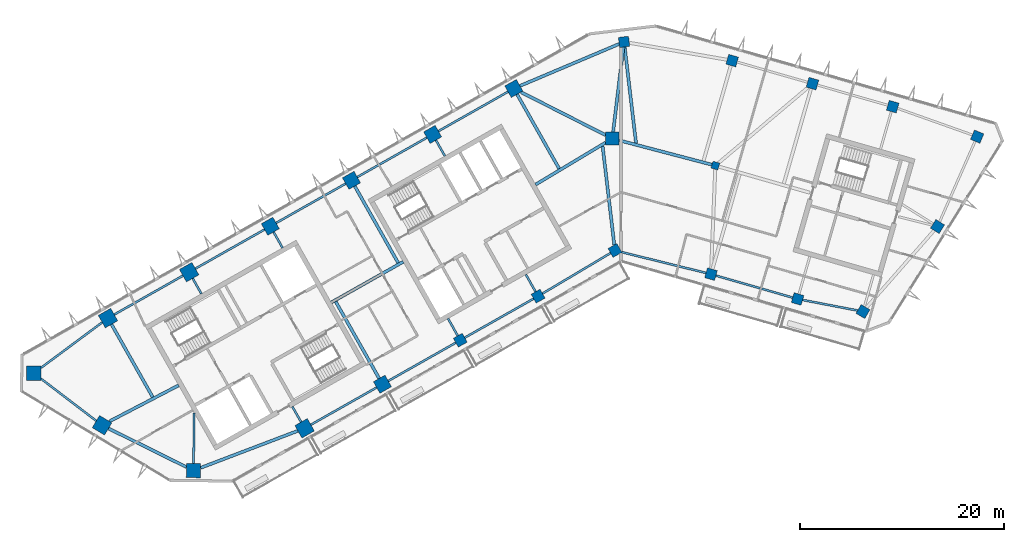
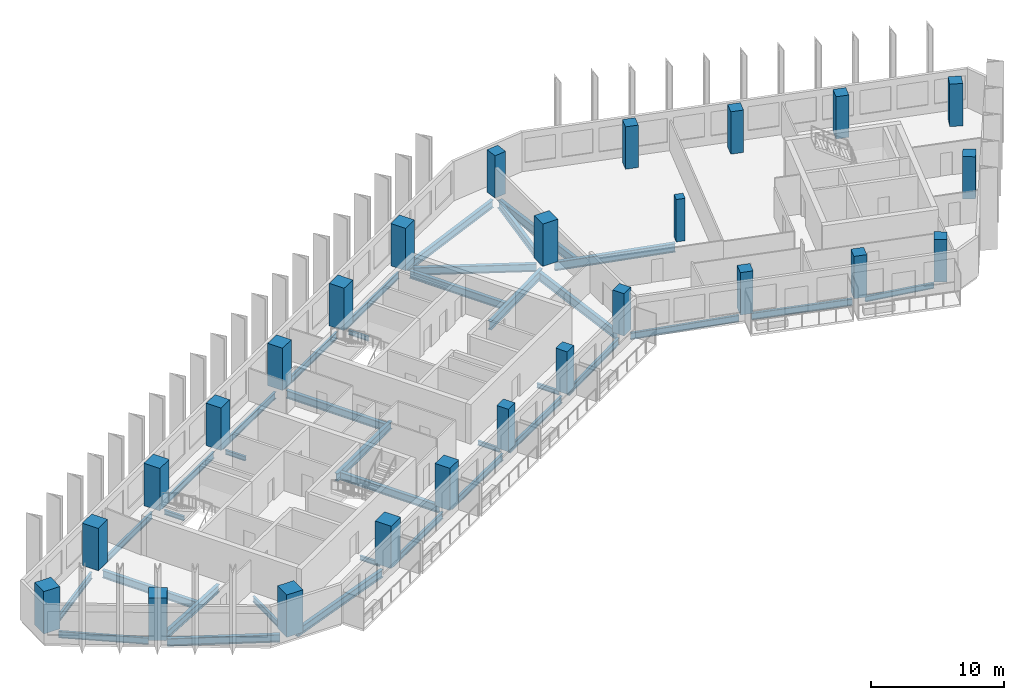
# One storey, part 1 of 12: 36 beams, 25 columns.
"""IFC4 building model written with IfcOpenShell, lengths in metres."""

from ifc_helpers import new_model, si_unit, direction, frame, origin, origin_2d, place, context, subcontext, project, spatial, rectangle, i_section, extrude, material, material_profile, profile_set, type_object, element, save


model = new_model("IFC4")

# Units and contexts
model_context = context("Model", 3, precision=1e-05, world=origin(), true_north=direction((0.0, 1.0)))
body_context = subcontext(model_context, "Body", "Model", "MODEL_VIEW")
ifc_project = project(units=[si_unit("LENGTHUNIT", "METRE"), si_unit("AREAUNIT", "SQUARE_METRE"), si_unit("VOLUMEUNIT", "CUBIC_METRE"), si_unit("PLANEANGLEUNIT", "RADIAN"), si_unit("MASSUNIT", "GRAM", prefix="KILO")], contexts=[model_context])

# Site, building, storey
site_placement = place(None, origin())
site = spatial("IfcSite", under=ifc_project, at=site_placement, CompositionType="ELEMENT")
building_placement = place(site_placement, origin())
building = spatial("IfcBuilding", under=site, at=building_placement, Name="Binnacle Exchange Tower", CompositionType="ELEMENT")
storey_placement = place(building_placement, frame((0.0, 0.0, 215.300048828125)))
storey = spatial("IfcBuildingStorey", under=building, at=storey_placement, Name="L47", CompositionType="ELEMENT", Elevation=215.300048828125)

# Columns
ifc_material_1 = material(Name="Concrete C60/75", Category="concrete")
ifc_material_profile_1 = material_profile(ifc_material_1, rectangle(XDim=0.699951171875, YDim=0.699951171875, at=origin_2d()), Name="Column 700x700 C60/75")
ifc_profile_set_1 = profile_set([ifc_material_profile_1], Name="Concrete C60/75")
column_type_1 = type_object("IfcColumnType", Name="Column 700x700 C60/75", PredefinedType="COLUMN", material=ifc_profile_set_1)
column_placement = place(storey_placement, frame((9.240966796875, 57.35009765625, 0.0), z_axis=(0.0, 0.0, 1.0), x_axis=(0.961261695938, -0.275637355817, 0.0)))
element("IfcColumn", 1, at=column_placement, inside=storey, type_object=column_type_1, Name="S:COL:C19:L47", PredefinedType="COLUMN", context=body_context, shape_type="SweptSolid", body=[
    extrude(rectangle(XDim=0.699951171875, YDim=0.699951171875, at=origin_2d()), origin(), (0.0, 0.0, 1.0), 3.89990234375),
])
ifc_material_profile_2 = material_profile(ifc_material_1, rectangle(XDim=1.0, YDim=1.0, at=origin_2d()), Name="Mega column 1000x1000 C60/75")
ifc_profile_set_2 = profile_set([ifc_material_profile_2], Name="Concrete C60/75")
column_type_2 = type_object("IfcColumnType", Name="Mega column 1000x1000 C60/75", PredefinedType="COLUMN", material=ifc_profile_set_2)
for number, where, z_axis, x_axis, name in (
    (2, (26.602783203125, 63.12353515625, 0.0), (0.0, 0.0, 1.0), (-0.961261695938, 0.275637355817, 0.0), "S:COL:MC52:L47"),
    (3, (18.746337890625, 65.376220703125, 0.0), (0.0, 0.0, 1.0), (-0.961261695938, 0.275637355817, 0.0), "S:COL:MC50:L47"),
    (4, (10.889892578125, 67.62890625, 0.0), (0.0, 0.0, 1.0), (-0.961261695938, 0.275637355817, 0.0), "S:COL:MC48:L47"),
    (5, (0.300048828125, 69.464111328125, 0.0), (0.0, 0.0, 1.0), (-0.993068456955, -0.117537397458, 0.0), "S:COL:MC47:L47"),
    (6, (-15.736328125, 40.257080078125, 0.0), (0.0, 0.0, 1.0), (0.87035569594, 0.492423560103, 0.0), "S:COL:MC24:L47"),
    (7, (-8.116943359375, 44.568115234375, 0.0), (0.0, 0.0, 1.0), (0.87035569594, 0.492423560103, 0.0), "S:COL:MC35:L47"),
    (8, (-0.5908203125, 49.04443359375, 0.0), (0.0, 0.0, 1.0), (0.87035569594, 0.492423560103, 0.0), "S:COL:MC46:L47"),
    (9, (8.8095703125, 46.722412109375, 0.0), (0.0, 0.0, 1.0), (0.961261695938, -0.275637355817, 0.0), "S:COL:MC49:L47"),
    (10, (17.2880859375, 44.291015625, 0.0), (0.0, 0.0, 1.0), (0.961261695938, -0.275637355817, 0.0), "S:COL:MC51:L47"),
    (11, (23.690185546875, 43.062744140625, 0.0), (0.0, 0.0, 1.0), (-0.86532642813, 0.501208711795, 0.0), "S:COL:MC53:L47"),
    (12, (30.989501953125, 51.38623046875, 0.0), (0.0, 0.0, 1.0), (0.529919264233, 0.848048096156, 0.0), "S:COL:MC55:L47"),
    (13, (34.870361328125, 60.18701171875, 0.0), (0.0, 0.0, 1.0), (-0.922814001807, 0.385245789164, 0.0), "S:COL:MC54:L47"),
):
    element("IfcColumn", number, at=place(storey_placement, frame(where, z_axis=z_axis, x_axis=x_axis)), inside=storey, type_object=column_type_2, Name=name, PredefinedType="COLUMN", context=body_context, shape_type="SweptSolid", body=[
        extrude(rectangle(XDim=1.0, YDim=1.0, at=origin_2d()), origin(), (0.0, 0.0, 1.0), 3.89990234375),
    ])
ifc_material_profile_3 = material_profile(ifc_material_1, rectangle(XDim=1.300048828125, YDim=1.300048828125, at=origin_2d()), Name="Mega column 1300x1300 C60/75")
ifc_profile_set_3 = profile_set([ifc_material_profile_3], Name="Concrete C60/75")
column_type_3 = type_object("IfcColumnType", Name="Mega column 1300x1300 C60/75", PredefinedType="COLUMN", material=ifc_profile_set_3)
for number, where, z_axis, x_axis, name in (
    (14, (-10.4951171875, 64.901611328125, 0.0), (0.0, 0.0, 1.0), (-0.87035569594, -0.492423560103, 0.0), "S:COL:MC38:L47"),
    (15, (-18.44140625, 60.406005859375, 0.0), (0.0, 0.0, 1.0), (-0.87035569594, -0.492423560103, 0.0), "S:COL:MC29:L47"),
    (16, (-26.3876953125, 55.91015625, 0.0), (0.0, 0.0, 1.0), (-0.87035569594, -0.492423560103, 0.0), "S:COL:MC21:L47"),
    (17, (-34.333740234375, 51.414306640625, 0.0), (0.0, 0.0, 1.0), (-0.87035569594, -0.492423560103, 0.0), "S:COL:MC13:L47"),
    (18, (-23.35595703125, 35.9462890625, 0.0), (0.0, 0.0, 1.0), (0.87035569594, 0.492423560103, 0.0), "S:COL:MC16:L47"),
    (19, (-0.85009765625, 60.0, 0.0), (0.0, 0.0, 1.0), (0.0, 1.0, 0.0), "S:COL:MC45:L47"),
):
    element("IfcColumn", number, at=place(storey_placement, frame(where, z_axis=z_axis, x_axis=x_axis)), inside=storey, type_object=column_type_3, Name=name, PredefinedType="COLUMN", context=body_context, shape_type="SweptSolid", body=[
        extrude(rectangle(XDim=1.300048828125, YDim=1.300048828125, at=origin_2d()), origin(), (0.0, 0.0, 1.0), 3.89990234375),
    ])
ifc_material_profile_4 = material_profile(ifc_material_1, rectangle(XDim=1.39990234375, YDim=1.39990234375, at=origin_2d()), Name="Mega column 1400x1400 C60/75")
ifc_profile_set_4 = profile_set([ifc_material_profile_4], Name="Concrete C60/75")
column_type_4 = type_object("IfcColumnType", Name="Mega column 1400x1400 C60/75", PredefinedType="COLUMN", material=ifc_profile_set_4)
for number, where, z_axis, x_axis, name in (
    (20, (-42.280029296875, 46.918701171875, 0.0), (0.0, 0.0, 1.0), (-0.87035569594, -0.492423560103, 0.0), "S:COL:MC08:L47"),
    (21, (-50.226318359375, 42.4228515625, 0.0), (0.0, 0.0, 1.0), (-0.87035569594, -0.492423560103, 0.0), "S:COL:MC04:L47"),
    (22, (-57.492919921875, 37.02734375, 0.0), (0.0, 0.0, 1.0), (-0.013089595571, -0.999914327574, 0.0), "S:COL:MC02:L47"),
    (23, (-50.81201171875, 31.930908203125, 0.0), (0.0, 0.0, 1.0), (0.857167300702, -0.51503807491, 0.0), "S:COL:MC01:L47"),
    (24, (-41.857666015625, 27.494873046875, 0.0), (0.0, 0.0, 1.0), (0.999914327574, -0.013089595571, 0.0), "S:COL:MC03:L47"),
    (25, (-30.9755859375, 31.63525390625, 0.0), (0.0, 0.0, 1.0), (0.87035569594, 0.492423560103, 0.0), "S:COL:MC07:L47"),
):
    element("IfcColumn", number, at=place(storey_placement, frame(where, z_axis=z_axis, x_axis=x_axis)), inside=storey, type_object=column_type_4, Name=name, PredefinedType="COLUMN", context=body_context, shape_type="SweptSolid", body=[
        extrude(rectangle(XDim=1.39990234375, YDim=1.39990234375, at=origin_2d()), origin(), (0.0, 0.0, 1.0), 3.89990234375),
    ])

# Beams
ifc_material_2 = material(Name="Steel S355 (SHN355)", Category="steel")
ifc_material_profile_5 = material_profile(ifc_material_2, i_section(OverallWidth=0.199951171875, OverallDepth=0.5, WebThickness=0.010009765625, FlangeThickness=0.01611328125, FilletRadius=0.02001953125, at=origin_2d()), Name="H 500x200x10x16")
ifc_profile_set_5 = profile_set([ifc_material_profile_5], Name="Steel S355 (SHN355)")
beam_type_1 = type_object("IfcBeamType", Name="Edge girder H 500x200x10x16 Steel S355 (SHN355)", PredefinedType="SPANDREL", material=ifc_profile_set_5)
beam_1_placement = place(storey_placement, frame((17.78125, 44.196533203125, -0.530029296875), z_axis=(0.98208728148, -0.188426568073, 0.0), x_axis=(0.188426568073, 0.98208728148, 0.0)))
element("IfcBeam", 26, at=beam_1_placement, inside=storey, type_object=beam_type_1, Name="S:BM:edge:L47:028", PredefinedType="SPANDREL", context=body_context, shape_type="SweptSolid", body=[
    extrude(i_section(OverallWidth=0.199951171875, OverallDepth=0.5, WebThickness=0.010009765625, FlangeThickness=0.01611328125, FilletRadius=0.02001953125, at=origin_2d()), origin(), (0.0, 0.0, 1.0), 5.4873046875),
])
ifc_material_profile_6 = material_profile(ifc_material_2, i_section(OverallWidth=0.199951171875, OverallDepth=0.60009765625, WebThickness=0.010986328125, FlangeThickness=0.01708984375, FilletRadius=0.02197265625, at=origin_2d()), Name="H 600x200x11x17")
ifc_profile_set_6 = profile_set([ifc_material_profile_6], Name="Steel S355 (SHN355)")
beam_type_2 = type_object("IfcBeamType", Name="Edge girder H 600x200x11x17 Steel S355 (SHN355)", PredefinedType="SPANDREL", material=ifc_profile_set_6)
beam_2_placement = place(storey_placement, frame((-56.7998046875, 36.49853515625, -0.580078125), z_axis=(0.795081038606, -0.606503208606, 0.0), x_axis=(0.606503208606, 0.795081038606, 0.0)))
element("IfcBeam", 27, at=beam_2_placement, inside=storey, type_object=beam_type_2, Name="S:BM:edge:L47:011", PredefinedType="SPANDREL", context=body_context, shape_type="SweptSolid", body=[
    extrude(i_section(OverallWidth=0.199951171875, OverallDepth=0.60009765625, WebThickness=0.010986328125, FlangeThickness=0.01708984375, FilletRadius=0.02197265625, at=origin_2d()), origin(), (0.0, 0.0, 1.0), 6.82666015625),
])
ifc_material_profile_7 = material_profile(ifc_material_2, i_section(OverallWidth=0.200927734375, OverallDepth=0.60595703125, WebThickness=0.011962890625, FlangeThickness=0.02001953125, FilletRadius=0.02197265625, at=origin_2d()), Name="H 606x201x12x20")
ifc_profile_set_7 = profile_set([ifc_material_profile_7], Name="Steel S355 (SHN355)")
beam_type_3 = type_object("IfcBeamType", Name="Edge girder H 606x201x12x20 Steel S355 (SHN355)", PredefinedType="SPANDREL", material=ifc_profile_set_7)
beam_3_placement = place(storey_placement, frame((-50.79248046875, 42.00244140625, -0.5830078125), z_axis=(-0.802886959261, -0.596131303194, 0.0), x_axis=(0.596131303194, -0.802886959261, 0.0)))
element("IfcBeam", 28, at=beam_3_placement, inside=storey, type_object=beam_type_3, Name="S:BM:edge:L47:012", PredefinedType="SPANDREL", context=body_context, shape_type="SweptSolid", body=[
    extrude(i_section(OverallWidth=0.200927734375, OverallDepth=0.60595703125, WebThickness=0.011962890625, FlangeThickness=0.02001953125, FilletRadius=0.02197265625, at=origin_2d()), origin(), (0.0, 0.0, 1.0), 7.465087890625),
])
beam_4_placement = place(storey_placement, frame((-30.3662109375, 31.97998046875, -0.5830078125), z_axis=(0.87035151347, 0.49243095252, 0.0), x_axis=(-0.49243095252, 0.87035151347, 0.0)))
element("IfcBeam", 29, at=beam_4_placement, inside=storey, type_object=beam_type_3, Name="S:BM:edge:L47:017", PredefinedType="SPANDREL", context=body_context, shape_type="SweptSolid", body=[
    extrude(i_section(OverallWidth=0.200927734375, OverallDepth=0.60595703125, WebThickness=0.011962890625, FlangeThickness=0.02001953125, FilletRadius=0.02197265625, at=origin_2d()), origin(), (0.0, 0.0, 1.0), 7.404541015625),
])
beam_5_placement = place(storey_placement, frame((-22.790283203125, 36.266357421875, -0.5830078125), z_axis=(0.870357072119, 0.492421127708, 0.0), x_axis=(-0.492421127708, 0.870357072119, 0.0)))
element("IfcBeam", 30, at=beam_5_placement, inside=storey, type_object=beam_type_3, Name="S:BM:edge:L47:019", PredefinedType="SPANDREL", context=body_context, shape_type="SweptSolid", body=[
    extrude(i_section(OverallWidth=0.200927734375, OverallDepth=0.60595703125, WebThickness=0.011962890625, FlangeThickness=0.02001953125, FilletRadius=0.02197265625, at=origin_2d()), origin(), (0.0, 0.0, 1.0), 7.6044921875),
])
beam_6_placement = place(storey_placement, frame((-15.30126953125, 40.50341796875, -0.5830078125), z_axis=(0.870352841483, 0.492428605304, 0.0), x_axis=(-0.492428605304, 0.870352841483, 0.0)))
element("IfcBeam", 31, at=beam_6_placement, inside=storey, type_object=beam_type_3, Name="S:BM:edge:L47:021", PredefinedType="SPANDREL", context=body_context, shape_type="SweptSolid", body=[
    extrude(i_section(OverallWidth=0.200927734375, OverallDepth=0.60595703125, WebThickness=0.011962890625, FlangeThickness=0.02001953125, FilletRadius=0.02197265625, at=origin_2d()), origin(), (0.0, 0.0, 1.0), 7.754638671875),
])
beam_7_placement = place(storey_placement, frame((-7.68701171875, 44.82373046875, -0.5830078125), z_axis=(0.859458521045, 0.51120548765, 0.0), x_axis=(-0.51120548765, 0.859458521045, 0.0)))
element("IfcBeam", 32, at=beam_7_placement, inside=storey, type_object=beam_type_3, Name="S:BM:edge:L47:023", PredefinedType="SPANDREL", context=body_context, shape_type="SweptSolid", body=[
    extrude(i_section(OverallWidth=0.200927734375, OverallDepth=0.60595703125, WebThickness=0.011962890625, FlangeThickness=0.02001953125, FilletRadius=0.02197265625, at=origin_2d()), origin(), (0.0, 0.0, 1.0), 7.75634765625),
])
beam_8_placement = place(storey_placement, frame((9.2900390625, 46.58447265625, -0.5830078125), z_axis=(0.961265533153, -0.275623973506, 0.0), x_axis=(0.275623973506, 0.961265533153, 0.0)))
element("IfcBeam", 33, at=beam_8_placement, inside=storey, type_object=beam_type_3, Name="S:BM:edge:L47:026", PredefinedType="SPANDREL", context=body_context, shape_type="SweptSolid", body=[
    extrude(i_section(OverallWidth=0.200927734375, OverallDepth=0.60595703125, WebThickness=0.011962890625, FlangeThickness=0.02001953125, FilletRadius=0.02197265625, at=origin_2d()), origin(), (0.0, 0.0, 1.0), 7.820556640625),
])
ifc_material_profile_8 = material_profile(ifc_material_2, i_section(OverallWidth=0.201904296875, OverallDepth=0.612060546875, WebThickness=0.012939453125, FlangeThickness=0.02294921875, FilletRadius=0.02197265625, at=origin_2d()), Name="H 612x202x13x23")
ifc_profile_set_8 = profile_set([ifc_material_profile_8], Name="Steel S355 (SHN355)")
beam_type_4 = type_object("IfcBeamType", Name="Edge girder H 612x202x13x23 Steel S355 (SHN355)", PredefinedType="SPANDREL", material=ifc_profile_set_8)
beam_9_placement = place(storey_placement, frame((-42.88916015625, 46.573974609375, -0.5859375), z_axis=(-0.870355702011, -0.492423549372, 0.0), x_axis=(0.492423549372, -0.870355702011, 0.0)))
element("IfcBeam", 34, at=beam_9_placement, inside=storey, type_object=beam_type_4, Name="S:BM:edge:L47:014", PredefinedType="SPANDREL", context=body_context, shape_type="SweptSolid", body=[
    extrude(i_section(OverallWidth=0.201904296875, OverallDepth=0.612060546875, WebThickness=0.012939453125, FlangeThickness=0.02294921875, FilletRadius=0.02197265625, at=origin_2d()), origin(), (0.0, 0.0, 1.0), 7.72998046875),
])
beam_10_placement = place(storey_placement, frame((-34.8994140625, 51.09423828125, -0.5859375), z_axis=(-0.870365218126, -0.492406729317, 0.0), x_axis=(0.492406729317, -0.870365218126, 0.0)))
element("IfcBeam", 35, at=beam_10_placement, inside=storey, type_object=beam_type_4, Name="S:BM:edge:L47:016", PredefinedType="SPANDREL", context=body_context, shape_type="SweptSolid", body=[
    extrude(i_section(OverallWidth=0.201904296875, OverallDepth=0.612060546875, WebThickness=0.012939453125, FlangeThickness=0.02294921875, FilletRadius=0.02197265625, at=origin_2d()), origin(), (0.0, 0.0, 1.0), 7.77978515625),
])
beam_11_placement = place(storey_placement, frame((-26.953369140625, 55.590087890625, -0.5859375), z_axis=(-0.870361249296, -0.492413744452, 0.0), x_axis=(0.492413744452, -0.870361249296, 0.0)))
element("IfcBeam", 36, at=beam_11_placement, inside=storey, type_object=beam_type_4, Name="S:BM:edge:L47:018", PredefinedType="SPANDREL", context=body_context, shape_type="SweptSolid", body=[
    extrude(i_section(OverallWidth=0.201904296875, OverallDepth=0.612060546875, WebThickness=0.012939453125, FlangeThickness=0.02294921875, FilletRadius=0.02197265625, at=origin_2d()), origin(), (0.0, 0.0, 1.0), 7.829833984375),
])
beam_12_placement = place(storey_placement, frame((-19.007080078125, 60.0859375, -0.5859375), z_axis=(-0.870355446453, -0.492424001069, 0.0), x_axis=(0.492424001069, -0.870355446453, 0.0)))
element("IfcBeam", 37, at=beam_12_placement, inside=storey, type_object=beam_type_4, Name="S:BM:edge:L47:020", PredefinedType="SPANDREL", context=body_context, shape_type="SweptSolid", body=[
    extrude(i_section(OverallWidth=0.201904296875, OverallDepth=0.612060546875, WebThickness=0.012939453125, FlangeThickness=0.02294921875, FilletRadius=0.02197265625, at=origin_2d()), origin(), (0.0, 0.0, 1.0), 7.830078125),
])
beam_13_placement = place(storey_placement, frame((-11.060791015625, 64.58154296875, -0.5859375), z_axis=(-0.870361249296, -0.492413744452, 0.0), x_axis=(0.492413744452, -0.870361249296, 0.0)))
element("IfcBeam", 38, at=beam_13_placement, inside=storey, type_object=beam_type_4, Name="S:BM:edge:L47:022", PredefinedType="SPANDREL", context=body_context, shape_type="SweptSolid", body=[
    extrude(i_section(OverallWidth=0.201904296875, OverallDepth=0.612060546875, WebThickness=0.012939453125, FlangeThickness=0.02294921875, FilletRadius=0.02197265625, at=origin_2d()), origin(), (0.0, 0.0, 1.0), 7.829833984375),
])
beam_14_placement = place(storey_placement, frame((0.076904296875, 48.87939453125, -0.5859375), z_axis=(0.970819987475, -0.239809407487, 0.0), x_axis=(0.239809407487, 0.970819987475, 0.0)))
element("IfcBeam", 39, at=beam_14_placement, inside=storey, type_object=beam_type_4, Name="S:BM:edge:L47:025", PredefinedType="SPANDREL", context=body_context, shape_type="SweptSolid", body=[
    extrude(i_section(OverallWidth=0.201904296875, OverallDepth=0.612060546875, WebThickness=0.012939453125, FlangeThickness=0.02294921875, FilletRadius=0.02197265625, at=origin_2d()), origin(), (0.0, 0.0, 1.0), 8.49462890625),
])
ifc_material_profile_9 = material_profile(ifc_material_2, i_section(OverallWidth=0.300048828125, OverallDepth=0.699951171875, WebThickness=0.012939453125, FlangeThickness=0.02392578125, FilletRadius=0.028076171875, at=origin_2d()), Name="H 700x300x13x24")
ifc_profile_set_9 = profile_set([ifc_material_profile_9], Name="Steel S355 (SHN355)")
beam_type_5 = type_object("IfcBeamType", Name="Edge girder H 700x300x13x24 Steel S355 (SHN355)", PredefinedType="SPANDREL", material=ifc_profile_set_9)
beam_15_placement = place(storey_placement, frame((-50.1826171875, 31.619140625, -0.630126953125), z_axis=(0.896061326398, -0.443930286569, 0.0), x_axis=(0.443930286569, 0.896061326398, 0.0)))
element("IfcBeam", 40, at=beam_15_placement, inside=storey, type_object=beam_type_5, Name="S:BM:edge:L47:013", PredefinedType="SPANDREL", context=body_context, shape_type="SweptSolid", body=[
    extrude(i_section(OverallWidth=0.300048828125, OverallDepth=0.699951171875, WebThickness=0.012939453125, FlangeThickness=0.02392578125, FilletRadius=0.028076171875, at=origin_2d()), origin(), (0.0, 0.0, 1.0), 8.514404296875),
])
beam_16_placement = place(storey_placement, frame((-41.154052734375, 27.762451171875, -0.630126953125), z_axis=(0.934627442278, 0.355628379268, 0.0), x_axis=(-0.355628379268, 0.934627442278, 0.0)))
element("IfcBeam", 41, at=beam_16_placement, inside=storey, type_object=beam_type_5, Name="S:BM:edge:L47:015", PredefinedType="SPANDREL", context=body_context, shape_type="SweptSolid", body=[
    extrude(i_section(OverallWidth=0.300048828125, OverallDepth=0.699951171875, WebThickness=0.012939453125, FlangeThickness=0.02392578125, FilletRadius=0.028076171875, at=origin_2d()), origin(), (0.0, 0.0, 1.0), 10.18212890625),
])
beam_17_placement = place(storey_placement, frame((-0.179443359375, 69.261474609375, -0.630126953125), z_axis=(-0.921114178723, -0.389292524659, 0.0), x_axis=(0.389292524659, -0.921114178723, 0.0)))
element("IfcBeam", 42, at=beam_17_placement, inside=storey, type_object=beam_type_5, Name="S:BM:edge:L47:024", PredefinedType="SPANDREL", context=body_context, shape_type="SweptSolid", body=[
    extrude(i_section(OverallWidth=0.300048828125, OverallDepth=0.699951171875, WebThickness=0.012939453125, FlangeThickness=0.02392578125, FilletRadius=0.028076171875, at=origin_2d()), origin(), (0.0, 0.0, 1.0), 10.544677734375),
])
ifc_material_profile_10 = material_profile(ifc_material_2, i_section(OverallWidth=0.199951171875, OverallDepth=0.39990234375, WebThickness=0.008056640625, FlangeThickness=0.012939453125, FilletRadius=0.01611328125, at=origin_2d()), Name="H 400x200x8x13")
ifc_profile_set_10 = profile_set([ifc_material_profile_10], Name="Steel S355 (SHN355)")
beam_type_6 = type_object("IfcBeamType", Name="Floor beam H 400x200x8x13 Steel S355 (SHN355)", PredefinedType="BEAM", material=ifc_profile_set_10)
beam_18_placement = place(storey_placement, frame((-41.935302734375, 46.3095703125, -0.47998046875), z_axis=(0.492405102951, -0.870366138236, 0.0), x_axis=(0.870366138236, 0.492405102951, 0.0)))
element("IfcBeam", 43, at=beam_18_placement, inside=storey, type_object=beam_type_6, Name="S:BM:cross:L47:035", PredefinedType="BEAM", context=body_context, shape_type="SweptSolid", body=[
    extrude(i_section(OverallWidth=0.199951171875, OverallDepth=0.39990234375, WebThickness=0.008056640625, FlangeThickness=0.012939453125, FilletRadius=0.01611328125, at=origin_2d()), origin(), (0.0, 0.0, 1.0), 1.734375),
])
beam_19_placement = place(storey_placement, frame((-34.013671875, 50.8486328125, -0.47998046875), z_axis=(0.492435931281, -0.870348696548, 0.0), x_axis=(0.870348696548, 0.492435931281, 0.0)))
element("IfcBeam", 44, at=beam_19_placement, inside=storey, type_object=beam_type_6, Name="S:BM:cross:L47:037", PredefinedType="BEAM", context=body_context, shape_type="SweptSolid", body=[
    extrude(i_section(OverallWidth=0.199951171875, OverallDepth=0.39990234375, WebThickness=0.008056640625, FlangeThickness=0.012939453125, FilletRadius=0.01611328125, at=origin_2d()), origin(), (0.0, 0.0, 1.0), 1.784423828125),
])
beam_20_placement = place(storey_placement, frame((-31.3203125, 32.244384765625, -0.47998046875), z_axis=(-0.492405102951, 0.870366138236, 0.0), x_axis=(-0.870366138236, -0.492405102951, 0.0)))
element("IfcBeam", 45, at=beam_20_placement, inside=storey, type_object=beam_type_6, Name="S:BM:cross:L47:038", PredefinedType="BEAM", context=body_context, shape_type="SweptSolid", body=[
    extrude(i_section(OverallWidth=0.199951171875, OverallDepth=0.39990234375, WebThickness=0.008056640625, FlangeThickness=0.012939453125, FilletRadius=0.01611328125, at=origin_2d()), origin(), (0.0, 0.0, 1.0), 1.734375),
])
beam_21_placement = place(storey_placement, frame((-18.12109375, 59.84033203125, -0.47998046875), z_axis=(0.49233227435, -0.870407336615, 0.0), x_axis=(0.870407336615, 0.49233227435, 0.0)))
element("IfcBeam", 46, at=beam_21_placement, inside=storey, type_object=beam_type_6, Name="S:BM:cross:L47:041", PredefinedType="BEAM", context=body_context, shape_type="SweptSolid", body=[
    extrude(i_section(OverallWidth=0.199951171875, OverallDepth=0.39990234375, WebThickness=0.008056640625, FlangeThickness=0.012939453125, FilletRadius=0.01611328125, at=origin_2d()), origin(), (0.0, 0.0, 1.0), 1.7841796875),
])
for number, where, z_axis, x_axis, name in (
    (47, (-15.982666015625, 40.6923828125, -0.47998046875), (-0.492369148916, 0.870386478063, 0.0), (-0.870386478063, -0.492369148916, 0.0), "S:BM:cross:L47:042"),
    (48, (-8.363037109375, 45.00341796875, -0.47998046875), (-0.492518856771, 0.870301772792, 0.0), (-0.870301772792, -0.492518856771, 0.0), "S:BM:cross:L47:044"),
):
    element("IfcBeam", number, at=place(storey_placement, frame(where, z_axis=z_axis, x_axis=x_axis)), inside=storey, type_object=beam_type_6, Name=name, PredefinedType="BEAM", context=body_context, shape_type="SweptSolid", body=[
        extrude(i_section(OverallWidth=0.199951171875, OverallDepth=0.39990234375, WebThickness=0.008056640625, FlangeThickness=0.012939453125, FilletRadius=0.01611328125, at=origin_2d()), origin(), (0.0, 0.0, 1.0), 1.934326171875),
    ])
ifc_material_profile_11 = material_profile(ifc_material_2, i_section(OverallWidth=0.200927734375, OverallDepth=0.506103515625, WebThickness=0.010986328125, FlangeThickness=0.01904296875, FilletRadius=0.02001953125, at=origin_2d()), Name="H 506x201x11x19")
ifc_profile_set_11 = profile_set([ifc_material_profile_11], Name="Steel S355 (SHN355)")
beam_type_7 = type_object("IfcBeamType", Name="Floor beam H 506x201x11x19 Steel S355 (SHN355)", PredefinedType="BEAM", material=ifc_profile_set_11)
beam_22_placement = place(storey_placement, frame((-41.848388671875, 28.194580078125, -0.532958984375), z_axis=(0.013067878487, 0.99991461163, 0.0), x_axis=(-0.99991461163, 0.013067878487, 0.0)))
element("IfcBeam", 49, at=beam_22_placement, inside=storey, type_object=beam_type_7, Name="S:BM:cross:L47:036", PredefinedType="BEAM", context=body_context, shape_type="SweptSolid", body=[
    extrude(i_section(OverallWidth=0.200927734375, OverallDepth=0.506103515625, WebThickness=0.010986328125, FlangeThickness=0.01904296875, FilletRadius=0.02001953125, at=origin_2d()), origin(), (0.0, 0.0, 1.0), 4.950927734375),
])
ifc_material_profile_12 = material_profile(ifc_material_2, i_section(OverallWidth=0.300048828125, OverallDepth=0.699951171875, WebThickness=0.012939453125, FlangeThickness=0.02392578125, FilletRadius=0.028076171875, at=origin_2d()), Name="H 700x300x13x24")
ifc_profile_set_12 = profile_set([ifc_material_profile_12], Name="Steel S355 (SHN355)")
beam_type_8 = type_object("IfcBeamType", Name="Floor beam H 700x300x13x24 Steel S355 (SHN355)", PredefinedType="BEAM", material=ifc_profile_set_12)
beam_23_placement = place(storey_placement, frame((-49.881591796875, 41.813720703125, -0.630126953125), z_axis=(0.492430408551, -0.870351821239, 0.0), x_axis=(0.870351821239, 0.492430408551, 0.0)))
element("IfcBeam", 50, at=beam_23_placement, inside=storey, type_object=beam_type_8, Name="S:BM:cross:L47:034", PredefinedType="BEAM", context=body_context, shape_type="SweptSolid", body=[
    extrude(i_section(OverallWidth=0.300048828125, OverallDepth=0.699951171875, WebThickness=0.012939453125, FlangeThickness=0.02392578125, FilletRadius=0.028076171875, at=origin_2d()), origin(), (0.0, 0.0, 1.0), 8.19140625),
])
beam_24_placement = place(storey_placement, frame((-10.175048828125, 64.3359375, -0.630126953125), z_axis=(0.492424391334, -0.870355225652, 0.0), x_axis=(0.870355225652, 0.492424391334, 0.0)))
element("IfcBeam", 51, at=beam_24_placement, inside=storey, type_object=beam_type_8, Name="S:BM:cross:L47:043", PredefinedType="BEAM", context=body_context, shape_type="SweptSolid", body=[
    extrude(i_section(OverallWidth=0.300048828125, OverallDepth=0.699951171875, WebThickness=0.012939453125, FlangeThickness=0.02392578125, FilletRadius=0.028076171875, at=origin_2d()), origin(), (0.0, 0.0, 1.0), 8.369384765625),
])
ifc_material_profile_13 = material_profile(ifc_material_2, i_section(OverallWidth=0.302001953125, OverallDepth=0.7080078125, WebThickness=0.014892578125, FlangeThickness=0.028076171875, FilletRadius=0.028076171875, at=origin_2d()), Name="H 708x302x15x28")
ifc_profile_set_13 = profile_set([ifc_material_profile_13], Name="Steel S355 (SHN355)")
beam_type_9 = type_object("IfcBeamType", Name="Floor beam H 708x302x15x28 Steel S355 (SHN355)", PredefinedType="BEAM", material=ifc_profile_set_13)
beam_25_placement = place(storey_placement, frame((-26.0673828125, 55.344482421875, -0.634033203125), z_axis=(0.492401028839, -0.870368443131, 0.0), x_axis=(0.870368443131, 0.492401028839, 0.0)))
element("IfcBeam", 52, at=beam_25_placement, inside=storey, type_object=beam_type_9, Name="S:BM:cross:L47:039", PredefinedType="BEAM", context=body_context, shape_type="SweptSolid", body=[
    extrude(i_section(OverallWidth=0.302001953125, OverallDepth=0.7080078125, WebThickness=0.014892578125, FlangeThickness=0.028076171875, FilletRadius=0.028076171875, at=origin_2d()), origin(), (0.0, 0.0, 1.0), 8.634033203125),
])
beam_26_placement = place(storey_placement, frame((-23.676025390625, 36.511962890625, -0.634033203125), z_axis=(-0.492422448747, 0.870356324714, 0.0), x_axis=(-0.870356324714, -0.492422448747, 0.0)))
element("IfcBeam", 53, at=beam_26_placement, inside=storey, type_object=beam_type_9, Name="S:BM:cross:L47:040", PredefinedType="BEAM", context=body_context, shape_type="SweptSolid", body=[
    extrude(i_section(OverallWidth=0.302001953125, OverallDepth=0.7080078125, WebThickness=0.014892578125, FlangeThickness=0.028076171875, FilletRadius=0.028076171875, at=origin_2d()), origin(), (0.0, 0.0, 1.0), 8.63427734375),
])
ifc_material_profile_14 = material_profile(ifc_material_2, i_section(OverallWidth=0.300048828125, OverallDepth=0.800048828125, WebThickness=0.013916015625, FlangeThickness=0.02587890625, FilletRadius=0.028076171875, at=origin_2d()), Name="H 800x300x14x26")
ifc_profile_set_14 = profile_set([ifc_material_profile_14], Name="Steel S355 (SHN355)")
beam_type_10 = type_object("IfcBeamType", Name="Floor beam H 800x300x14x26 Steel S355 (SHN355)", PredefinedType="BEAM", material=ifc_profile_set_14)
beam_27_placement = place(storey_placement, frame((-0.654541015625, 49.5830078125, -0.679931640625), z_axis=(-0.117538284625, 0.993068351951, 0.0), x_axis=(-0.993068351951, -0.117538284625, 0.0)))
element("IfcBeam", 54, at=beam_27_placement, inside=storey, type_object=beam_type_10, Name="S:BM:cross:L47:045", PredefinedType="BEAM", context=body_context, shape_type="SweptSolid", body=[
    extrude(i_section(OverallWidth=0.300048828125, OverallDepth=0.800048828125, WebThickness=0.013916015625, FlangeThickness=0.02587890625, FilletRadius=0.028076171875, at=origin_2d()), origin(), (0.0, 0.0, 1.0), 9.754150390625),
])
beam_28_placement = place(storey_placement, frame((0.35888671875, 68.9677734375, -0.679931640625), z_axis=(0.117547988923, -0.993067203315, 0.0), x_axis=(0.993067203315, 0.117547988923, 0.0)))
element("IfcBeam", 55, at=beam_28_placement, inside=storey, type_object=beam_type_10, Name="S:BM:cross:L47:046", PredefinedType="BEAM", context=body_context, shape_type="SweptSolid", body=[
    extrude(i_section(OverallWidth=0.300048828125, OverallDepth=0.800048828125, WebThickness=0.013916015625, FlangeThickness=0.02587890625, FilletRadius=0.028076171875, at=origin_2d()), origin(), (0.0, 0.0, 1.0), 9.5),
])
ifc_material_profile_15 = material_profile(ifc_material_2, i_section(OverallWidth=0.300048828125, OverallDepth=0.699951171875, WebThickness=0.012939453125, FlangeThickness=0.02392578125, FilletRadius=0.028076171875, at=origin_2d()), Name="H 700x300x13x24")
ifc_profile_set_15 = profile_set([ifc_material_profile_15], Name="Steel S355 (SHN355)")
beam_type_11 = type_object("IfcBeamType", Name="Spine girder H 700x300x13x24 Steel S355 (SHN355)", PredefinedType="BEAM", material=ifc_profile_set_15)
beam_29_placement = place(storey_placement, frame((-50.083740234375, 32.31005859375, -0.630126953125), z_axis=(0.886975994229, 0.46181553207, 0.0), x_axis=(-0.46181553207, 0.886975994229, 0.0)))
element("IfcBeam", 56, at=beam_29_placement, inside=storey, type_object=beam_type_11, Name="S:BM:spine:L47:001", PredefinedType="BEAM", context=body_context, shape_type="SweptSolid", body=[
    extrude(i_section(OverallWidth=0.300048828125, OverallDepth=0.699951171875, WebThickness=0.012939453125, FlangeThickness=0.02392578125, FilletRadius=0.028076171875, at=origin_2d()), origin(), (0.0, 0.0, 1.0), 7.6396484375),
])
beam_30_placement = place(storey_placement, frame((-1.5, 60.330322265625, -0.630126953125), z_axis=(-0.891481538846, 0.453057022786, 0.0), x_axis=(-0.453057022786, -0.891481538846, 0.0)))
element("IfcBeam", 57, at=beam_30_placement, inside=storey, type_object=beam_type_11, Name="S:BM:spine:L47:004", PredefinedType="BEAM", context=body_context, shape_type="SweptSolid", body=[
    extrude(i_section(OverallWidth=0.300048828125, OverallDepth=0.699951171875, WebThickness=0.012939453125, FlangeThickness=0.02392578125, FilletRadius=0.028076171875, at=origin_2d()), origin(), (0.0, 0.0, 1.0), 9.31005859375),
])
beam_31_placement = place(storey_placement, frame((-0.77099609375, 60.64990234375, -0.630126953125), z_axis=(0.120632086068, 0.992697285083, 0.0), x_axis=(-0.992697285083, 0.120632086068, 0.0)))
element("IfcBeam", 58, at=beam_31_placement, inside=storey, type_object=beam_type_11, Name="S:BM:spine:L47:005", PredefinedType="BEAM", context=body_context, shape_type="SweptSolid", body=[
    extrude(i_section(OverallWidth=0.300048828125, OverallDepth=0.699951171875, WebThickness=0.012939453125, FlangeThickness=0.02392578125, FilletRadius=0.028076171875, at=origin_2d()), origin(), (0.0, 0.0, 1.0), 8.364501953125),
])
ifc_material_profile_16 = material_profile(ifc_material_2, i_section(OverallWidth=0.302001953125, OverallDepth=0.7080078125, WebThickness=0.014892578125, FlangeThickness=0.028076171875, FilletRadius=0.028076171875, at=origin_2d()), Name="H 708x302x15x28")
ifc_profile_set_16 = profile_set([ifc_material_profile_16], Name="Steel S355 (SHN355)")
beam_type_12 = type_object("IfcBeamType", Name="Spine girder H 708x302x15x28 Steel S355 (SHN355)", PredefinedType="BEAM", material=ifc_profile_set_16)
beam_32_placement = place(storey_placement, frame((-28.365478515625, 43.951416015625, -0.634033203125), z_axis=(0.870350319004, 0.492433063684, 0.0), x_axis=(-0.492433063684, 0.870350319004, 0.0)))
element("IfcBeam", 59, at=beam_32_placement, inside=storey, type_object=beam_type_12, Name="S:BM:spine:L47:002", PredefinedType="BEAM", context=body_context, shape_type="SweptSolid", body=[
    extrude(i_section(OverallWidth=0.302001953125, OverallDepth=0.7080078125, WebThickness=0.014892578125, FlangeThickness=0.028076171875, FilletRadius=0.028076171875, at=origin_2d()), origin(), (0.0, 0.0, 1.0), 8.0908203125),
])
ifc_material_profile_17 = material_profile(ifc_material_2, i_section(OverallWidth=0.300048828125, OverallDepth=0.800048828125, WebThickness=0.013916015625, FlangeThickness=0.02587890625, FilletRadius=0.028076171875, at=origin_2d()), Name="H 800x300x14x26")
ifc_profile_set_17 = profile_set([ifc_material_profile_17], Name="Steel S355 (SHN355)")
beam_type_13 = type_object("IfcBeamType", Name="Spine girder H 800x300x14x26 Steel S355 (SHN355)", PredefinedType="BEAM", material=ifc_profile_set_17)
beam_33_placement = place(storey_placement, frame((-8.36328125, 55.489990234375, -0.679931640625), z_axis=(0.857387955422, 0.514670665472, 0.0), x_axis=(-0.514670665472, 0.857387955422, 0.0)))
element("IfcBeam", 60, at=beam_33_placement, inside=storey, type_object=beam_type_13, Name="S:BM:spine:L47:003", PredefinedType="BEAM", context=body_context, shape_type="SweptSolid", body=[
    extrude(i_section(OverallWidth=0.300048828125, OverallDepth=0.800048828125, WebThickness=0.013916015625, FlangeThickness=0.02587890625, FilletRadius=0.028076171875, at=origin_2d()), origin(), (0.0, 0.0, 1.0), 8.0048828125),
])
beam_34_placement = place(storey_placement, frame((-0.199951171875, 59.829345703125, -0.679931640625), z_axis=(0.967210495765, -0.253976095098, 0.0), x_axis=(0.253976095098, 0.967210495765, 0.0)))
element("IfcBeam", 61, at=beam_34_placement, inside=storey, type_object=beam_type_13, Name="S:BM:spine:L47:006", PredefinedType="BEAM", context=body_context, shape_type="SweptSolid", body=[
    extrude(i_section(OverallWidth=0.300048828125, OverallDepth=0.800048828125, WebThickness=0.013916015625, FlangeThickness=0.02587890625, FilletRadius=0.028076171875, at=origin_2d()), origin(), (0.0, 0.0, 1.0), 9.410888671875),
])

save(model, "model.ifc")
